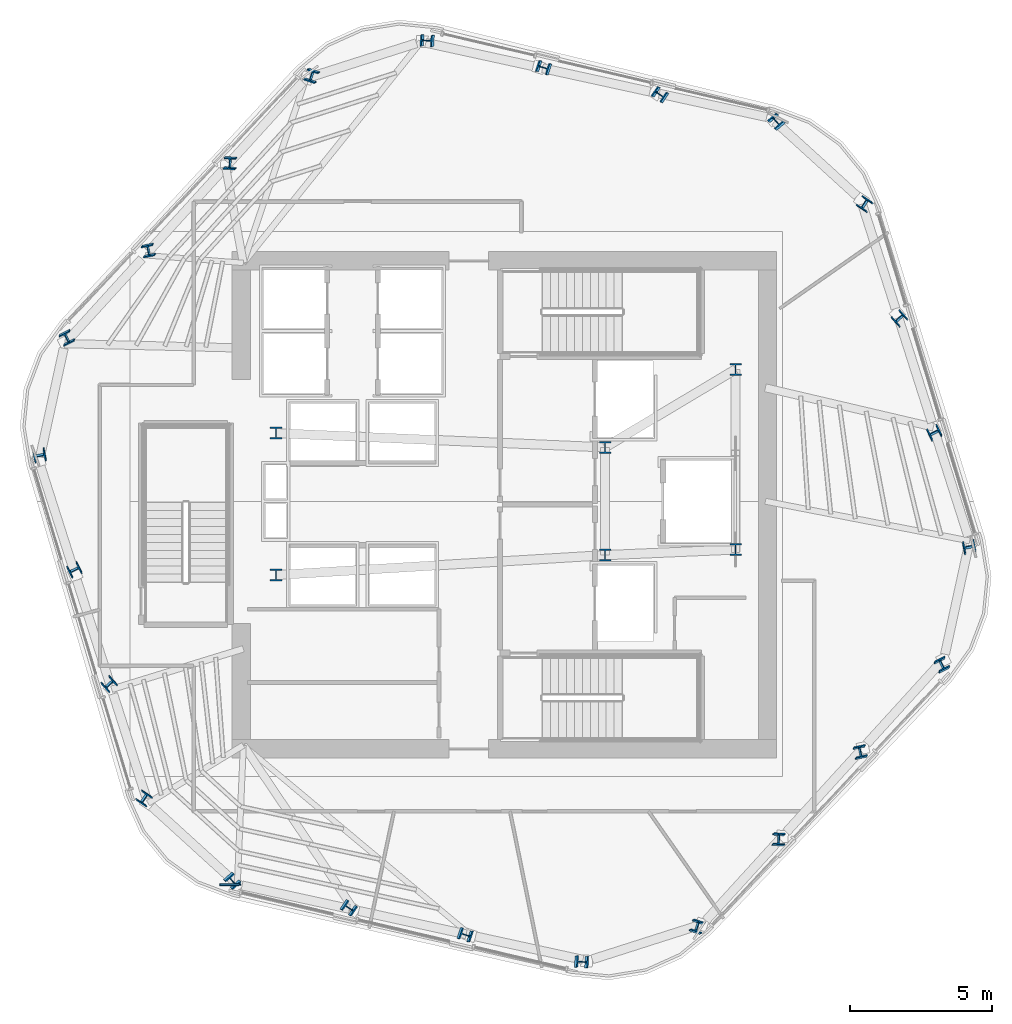
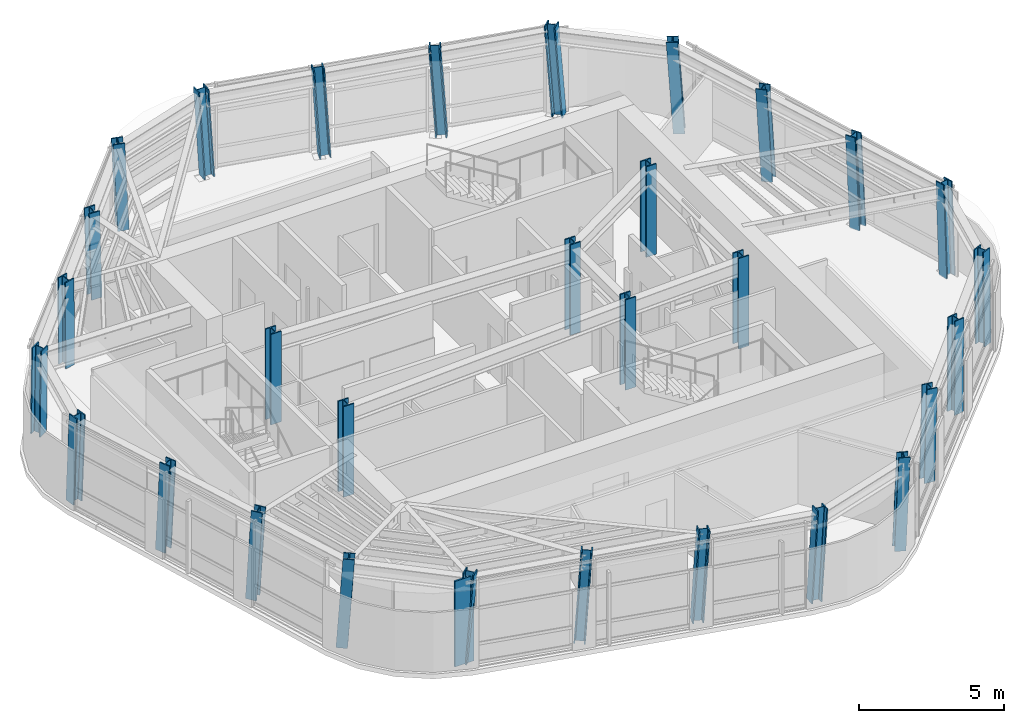
# One storey, part 1 of 13: 30 columns, 1 member.
"""IFC4 building model written with IfcOpenShell, lengths in metres."""

from ifc_helpers import new_model, si_unit, direction, frame, origin, origin_2d, place, context, subcontext, project, spatial, rectangle, i_section, extrude, material, material_profile, profile_set, type_object, element, save


model = new_model("IFC4")

# Units and contexts
model_context = context("Model", 3, precision=1e-05, world=origin(), true_north=direction((0.0, 1.0)))
body_context = subcontext(model_context, "Body", "Model", "MODEL_VIEW")
ifc_project = project(units=[si_unit("LENGTHUNIT", "METRE"), si_unit("AREAUNIT", "SQUARE_METRE"), si_unit("VOLUMEUNIT", "CUBIC_METRE"), si_unit("PLANEANGLEUNIT", "RADIAN"), si_unit("MASSUNIT", "GRAM", prefix="KILO")], contexts=[model_context])

# Site, building, storey
site_placement = place(None, origin())
site = spatial("IfcSite", under=ifc_project, at=site_placement, CompositionType="ELEMENT")
building_placement = place(site_placement, origin())
building = spatial("IfcBuilding", under=site, at=building_placement, Name="Valkerne Bourse Tower", CompositionType="ELEMENT")
storey_placement = place(building_placement, frame((0.0, 0.0, 224.60009765625)))
storey = spatial("IfcBuildingStorey", under=building, at=storey_placement, Name="L57", CompositionType="ELEMENT", Elevation=224.60009765625)

# Columns
ifc_material_1 = material(Name="Steel ASTM A913 Grade 65", Category="steel")
ifc_material_profile_1 = material_profile(ifc_material_1, i_section(OverallWidth=0.40380859375, OverallDepth=0.406494140625, WebThickness=0.027099609375, FlangeThickness=0.043701171875, FilletRadius=0.025390625, at=origin_2d()), Name="W14X233")
ifc_profile_set_1 = profile_set([ifc_material_profile_1], Name="Steel ASTM A913 Grade 65")
column_type_1 = type_object("IfcColumnType", Name="COL-W14X233", PredefinedType="COLUMN", material=ifc_profile_set_1)
column_1_placement = place(storey_placement, frame((56.421630859375, 40.3544921875, 0.010009765625), z_axis=(-0.055658803698, 0.039424985953, 0.997671172308), x_axis=(0.74865143525, 0.662780840066, 0.015575189897)))
element("IfcColumn", 1, at=column_1_placement, inside=storey, type_object=column_type_1, Name="L57 Helical Perimeter Tube Column F1-C1", PredefinedType="COLUMN", context=body_context, shape_type="SweptSolid", body=[
    extrude(i_section(OverallWidth=0.40380859375, OverallDepth=0.406494140625, WebThickness=0.027099609375, FlangeThickness=0.043701171875, FilletRadius=0.025390625, at=origin_2d()), origin(), (0.0, 0.0, 1.0), 3.789794921875),
])
for number, where, z_axis, x_axis, name in (
    (2, (52.321044921875, 41.31640625, 0.010009765625), (-0.059542144765, 0.022360524062, 0.997975320316), (0.555619432694, 0.831309875731, 0.014523653963), "L57 Helical Perimeter Tube Column F1-C2"),
    (3, (48.22021484375, 42.278076171875, 0.010009765625), (-0.063408369432, 0.005412909586, 0.997972985153), (0.309871375838, 0.950667423906, 0.014532018481), "L57 Helical Perimeter Tube Column F1-C3"),
):
    element("IfcColumn", number, at=place(storey_placement, frame(where, z_axis=z_axis, x_axis=x_axis)), inside=storey, type_object=column_type_1, Name=name, PredefinedType="COLUMN", context=body_context, shape_type="SweptSolid", body=[
        extrude(i_section(OverallWidth=0.40380859375, OverallDepth=0.406494140625, WebThickness=0.027099609375, FlangeThickness=0.043701171875, FilletRadius=0.025390625, at=origin_2d()), origin(), (0.0, 0.0, 1.0), 3.78857421875),
    ])
for number, where, z_axis, x_axis, name in (
    (4, (44.11962890625, 43.239990234375, 0.010009765625), (-0.067254156568, -0.011659963926, 0.997667742119), (0.058159715441, 0.99818560602, 0.015586642837), "L57 Helical Perimeter Tube Column F1-C4"),
    (5, (40.045654296875, 42.010009765625, 0.010009765625), (-0.06203604311, -0.028537868222, 0.997665835554), (-0.946796737152, 0.31795928338, -0.04977783272), "L57 Helical Perimeter Tube Column F2-C1"),
):
    element("IfcColumn", number, at=place(storey_placement, frame(where, z_axis=z_axis, x_axis=x_axis)), inside=storey, type_object=column_type_1, Name=name, PredefinedType="COLUMN", context=body_context, shape_type="SweptSolid", body=[
        extrude(i_section(OverallWidth=0.40380859375, OverallDepth=0.406494140625, WebThickness=0.027099609375, FlangeThickness=0.043701171875, FilletRadius=0.025390625, at=origin_2d()), origin(), (0.0, 0.0, 1.0), 3.789794921875),
    ])
for number, where, z_axis, x_axis, name in (
    (6, (37.162109375, 38.939453125, 0.010009765625), (-0.049167391408, -0.040339170408, 0.9979756104), (-0.996622275349, 0.067784334053, -0.046360806029), "L57 Helical Perimeter Tube Column F2-C2"),
    (7, (34.27880859375, 35.868896484375, 0.010009765625), (-0.036344027882, -0.052131770491, 0.997978652148), (-0.977603450088, -0.205293439357, -0.046325998469), "L57 Helical Perimeter Tube Column F2-C3"),
):
    element("IfcColumn", number, at=place(storey_placement, frame(where, z_axis=z_axis, x_axis=x_axis)), inside=storey, type_object=column_type_1, Name=name, PredefinedType="COLUMN", context=body_context, shape_type="SweptSolid", body=[
        extrude(i_section(OverallWidth=0.40380859375, OverallDepth=0.406494140625, WebThickness=0.027099609375, FlangeThickness=0.043701171875, FilletRadius=0.025390625, at=origin_2d()), origin(), (0.0, 0.0, 1.0), 3.78857421875),
    ])
for number, where, z_axis, x_axis, name in (
    (8, (31.3955078125, 32.798583984375, 0.010009765625), (-0.023513256984, -0.064033362854, 0.997670714809), (-0.893282721776, -0.446736297922, -0.049725839322), "L57 Helical Perimeter Tube Column F2-C4"),
    (9, (30.423828125, 28.655517578125, 0.010009765625), (-0.00631313053, -0.06796278275, 0.997667882887), (0.199454152344, -0.977726157234, -0.065342195968), "L57 Helical Perimeter Tube Column F3-C1"),
):
    element("IfcColumn", number, at=place(storey_placement, frame(where, z_axis=z_axis, x_axis=x_axis)), inside=storey, type_object=column_type_1, Name=name, PredefinedType="COLUMN", context=body_context, shape_type="SweptSolid", body=[
        extrude(i_section(OverallWidth=0.40380859375, OverallDepth=0.406494140625, WebThickness=0.027099609375, FlangeThickness=0.043701171875, FilletRadius=0.025390625, at=origin_2d()), origin(), (0.0, 0.0, 1.0), 3.789794921875),
    ])
for number, where, z_axis, x_axis, name in (
    (10, (31.64111328125, 24.623291015625, 0.010009765625), (0.010374758774, -0.062764068607, 0.997974466643), (0.440970229954, -0.895453166404, -0.060900599929), "L57 Helical Perimeter Tube Column F3-C2"),
    (11, (32.858642578125, 20.591064453125, 0.010009765625), (0.027000137398, -0.057608885046, 0.99797405224), (0.667159514695, -0.742420730348, -0.060906823115), "L57 Helical Perimeter Tube Column F3-C3"),
):
    element("IfcColumn", number, at=place(storey_placement, frame(where, z_axis=z_axis, x_axis=x_axis)), inside=storey, type_object=column_type_1, Name=name, PredefinedType="COLUMN", context=body_context, shape_type="SweptSolid", body=[
        extrude(i_section(OverallWidth=0.40380859375, OverallDepth=0.406494140625, WebThickness=0.027099609375, FlangeThickness=0.043701171875, FilletRadius=0.025390625, at=origin_2d()), origin(), (0.0, 0.0, 1.0), 3.78857421875),
    ])
for number, where, z_axis, x_axis, name in (
    (12, (34.075927734375, 16.55859375, 0.010009765625), (0.043741031998, -0.05237328279, 0.997669164287), (0.834069314622, -0.547778348479, -0.065324263056), "L57 Helical Perimeter Tube Column F3-C4"),
    (13, (37.17822265625, 13.6455078125, 0.010009765625), (0.055658803698, -0.039424985953, 0.997671172308), (0.74865143525, 0.662780840066, -0.015575189897), "L57 Helical Perimeter Tube Column F4-C1"),
):
    element("IfcColumn", number, at=place(storey_placement, frame(where, z_axis=z_axis, x_axis=x_axis)), inside=storey, type_object=column_type_1, Name=name, PredefinedType="COLUMN", context=body_context, shape_type="SweptSolid", body=[
        extrude(i_section(OverallWidth=0.40380859375, OverallDepth=0.406494140625, WebThickness=0.027099609375, FlangeThickness=0.043701171875, FilletRadius=0.025390625, at=origin_2d()), origin(), (0.0, 0.0, 1.0), 3.789794921875),
    ])
for number, where, z_axis, x_axis, name in (
    (14, (41.279052734375, 12.68359375, 0.010009765625), (0.0594779333, -0.022360609811, 0.997979147367), (0.555916605065, 0.831111418522, -0.014509935058), "L57 Helical Perimeter Tube Column F4-C2"),
    (15, (45.379638671875, 11.721923828125, 0.010009765625), (0.063408369432, -0.005412909586, 0.997972985153), (0.309871375838, 0.950667423906, -0.014532018481), "L57 Helical Perimeter Tube Column F4-C3"),
):
    element("IfcColumn", number, at=place(storey_placement, frame(where, z_axis=z_axis, x_axis=x_axis)), inside=storey, type_object=column_type_1, Name=name, PredefinedType="COLUMN", context=body_context, shape_type="SweptSolid", body=[
        extrude(i_section(OverallWidth=0.40380859375, OverallDepth=0.406494140625, WebThickness=0.027099609375, FlangeThickness=0.043701171875, FilletRadius=0.025390625, at=origin_2d()), origin(), (0.0, 0.0, 1.0), 3.78857421875),
    ])
for number, where, z_axis, x_axis, name in (
    (16, (49.48046875, 10.760009765625, 0.010009765625), (0.06719002784, 0.011660014419, 0.997672062465), (0.05799961052, 0.998195146881, -0.015572216398), "L57 Helical Perimeter Tube Column F4-C4"),
    (17, (53.554443359375, 11.989990234375, 0.010009765625), (0.061971871075, 0.02853798221, 0.997669820515), (-0.946924768843, 0.317584437313, 0.049735373016), "L57 Helical Perimeter Tube Column F5-C1"),
):
    element("IfcColumn", number, at=place(storey_placement, frame(where, z_axis=z_axis, x_axis=x_axis)), inside=storey, type_object=column_type_1, Name=name, PredefinedType="COLUMN", context=body_context, shape_type="SweptSolid", body=[
        extrude(i_section(OverallWidth=0.40380859375, OverallDepth=0.406494140625, WebThickness=0.027099609375, FlangeThickness=0.043701171875, FilletRadius=0.025390625, at=origin_2d()), origin(), (0.0, 0.0, 1.0), 3.789794921875),
    ])
for number, where, z_axis, x_axis, name in (
    (18, (56.437744140625, 15.060546875, 0.010009765625), (0.049167391408, 0.040339170408, 0.9979756104), (-0.996622275349, 0.067784334053, 0.046360806029), "L57 Helical Perimeter Tube Column F5-C2"),
    (19, (59.321044921875, 18.131103515625, 0.010009765625), (0.036344027882, 0.052131770491, 0.997978652148), (-0.977603450088, -0.205293439357, 0.046325998469), "L57 Helical Perimeter Tube Column F5-C3"),
):
    element("IfcColumn", number, at=place(storey_placement, frame(where, z_axis=z_axis, x_axis=x_axis)), inside=storey, type_object=column_type_1, Name=name, PredefinedType="COLUMN", context=body_context, shape_type="SweptSolid", body=[
        extrude(i_section(OverallWidth=0.40380859375, OverallDepth=0.406494140625, WebThickness=0.027099609375, FlangeThickness=0.043701171875, FilletRadius=0.025390625, at=origin_2d()), origin(), (0.0, 0.0, 1.0), 3.78857421875),
    ])
for number, where, z_axis, x_axis, name in (
    (20, (62.204345703125, 21.201416015625, 0.010009765625), (0.023577641103, 0.064033265729, 0.997669201549), (-0.893677893376, -0.445943448505, 0.049741970478), "L57 Helical Perimeter Tube Column F5-C4"),
    (21, (63.17626953125, 25.344482421875, 0.010009765625), (0.00631313053, 0.06796278275, 0.997667882887), (0.199454152344, -0.977726157234, 0.065342195968), "L57 Helical Perimeter Tube Column F6-C1"),
):
    element("IfcColumn", number, at=place(storey_placement, frame(where, z_axis=z_axis, x_axis=x_axis)), inside=storey, type_object=column_type_1, Name=name, PredefinedType="COLUMN", context=body_context, shape_type="SweptSolid", body=[
        extrude(i_section(OverallWidth=0.40380859375, OverallDepth=0.406494140625, WebThickness=0.027099609375, FlangeThickness=0.043701171875, FilletRadius=0.025390625, at=origin_2d()), origin(), (0.0, 0.0, 1.0), 3.789794921875),
    ])
for number, where, z_axis, x_axis, name in (
    (22, (61.958740234375, 29.376708984375, 0.010009765625), (-0.01031032615, 0.062764110437, 0.997975131762), (0.44007506082, -0.895894120091, 0.060890610364), "L57 Helical Perimeter Tube Column F6-C2"),
    (23, (60.741455078125, 33.408935546875, 0.010009765625), (-0.027064529722, 0.057608784694, 0.997972313823), (0.667839118354, -0.741807313911, 0.060932922344), "L57 Helical Perimeter Tube Column F6-C3"),
):
    element("IfcColumn", number, at=place(storey_placement, frame(where, z_axis=z_axis, x_axis=x_axis)), inside=storey, type_object=column_type_1, Name=name, PredefinedType="COLUMN", context=body_context, shape_type="SweptSolid", body=[
        extrude(i_section(OverallWidth=0.40380859375, OverallDepth=0.406494140625, WebThickness=0.027099609375, FlangeThickness=0.043701171875, FilletRadius=0.025390625, at=origin_2d()), origin(), (0.0, 0.0, 1.0), 3.78857421875),
    ])
column_2_placement = place(storey_placement, frame((59.52392578125, 37.44140625, 0.010009765625), z_axis=(-0.043676735197, 0.052373430259, 0.997671973449), x_axis=(0.833673661466, -0.548384995976, 0.06528493215)))
element("IfcColumn", 24, at=column_2_placement, inside=storey, type_object=column_type_1, Name="L57 Helical Perimeter Tube Column F6-C4", PredefinedType="COLUMN", context=body_context, shape_type="SweptSolid", body=[
    extrude(i_section(OverallWidth=0.40380859375, OverallDepth=0.406494140625, WebThickness=0.027099609375, FlangeThickness=0.043701171875, FilletRadius=0.025390625, at=origin_2d()), origin(), (0.0, 0.0, 1.0), 3.789794921875),
])
ifc_material_profile_2 = material_profile(ifc_material_1, i_section(OverallWidth=0.408935546875, OverallDepth=0.42431640625, WebThickness=0.03271484375, FlangeThickness=0.052490234375, FilletRadius=0.025390625, at=origin_2d()), Name="W14X283")
ifc_profile_set_2 = profile_set([ifc_material_profile_2], Name="Steel ASTM A913 Grade 65")
column_type_2 = type_object("IfcColumnType", Name="COL-W14X283", PredefinedType="COLUMN", material=ifc_profile_set_2)
for number, where, z_axis, x_axis, name in (
    (25, (38.75, 24.39990234375, 0.0048828125), (0.0, 0.0, 1.0), (1.0, 0.0, 0.0), "L57 Core Frame Column CC-SW"),
    (26, (38.75, 29.39990234375, 0.0048828125), (0.0, 0.0, 1.0), (1.0, 0.0, 0.0), "L57 Core Frame Column CC-NW"),
    (27, (50.35009765625, 25.10009765625, 0.0048828125), (0.0, 0.0, 1.0), (1.0, 0.0, 0.0), "L57 Core Frame Column CC-CE1"),
    (28, (50.35009765625, 28.89990234375, 0.0048828125), (0.0, 0.0, 1.0), (1.0, 0.0, 0.0), "L57 Core Frame Column CC-CE2"),
    (29, (54.949951171875, 25.300048828125, 0.0048828125), (0.0, 0.0, 1.0), (1.0, 0.0, 0.0), "L57 Core Frame Column CC-SE"),
    (30, (54.949951171875, 31.64990234375, 0.0048828125), (0.0, 0.0, 1.0), (1.0, 0.0, 0.0), "L57 Core Frame Column CC-NE"),
):
    element("IfcColumn", number, at=place(storey_placement, frame(where, z_axis=z_axis, x_axis=x_axis)), inside=storey, type_object=column_type_2, Name=name, PredefinedType="COLUMN", context=body_context, shape_type="SweptSolid", body=[
        extrude(i_section(OverallWidth=0.408935546875, OverallDepth=0.42431640625, WebThickness=0.03271484375, FlangeThickness=0.052490234375, FilletRadius=0.025390625, at=origin_2d()), origin(), (0.0, 0.0, 1.0), 3.794921875),
    ])

# Member
ifc_material_2 = material(Name="Bronze Anodised Aluminium AA 6063-T6", Category="aluminium")
ifc_material_profile_3 = material_profile(ifc_material_2, rectangle(XDim=0.06494140625, YDim=0.75, at=origin_2d()), Name="FIN-65X750")
ifc_profile_set_3 = profile_set([ifc_material_profile_3], Name="Bronze Anodised Aluminium AA 6063-T6")
member_type = type_object("IfcMemberType", Name="FIN-SOLAR-650", PredefinedType="USERDEFINED", material=ifc_profile_set_3)
member_placement = place(storey_placement, frame((37.141845703125, 13.48974609375, 0.00390625), z_axis=(0.0, 0.0, 1.0), x_axis=(0.002398257262, -0.999997124177, 0.0)))
element("IfcMember", 31, at=member_placement, inside=storey, type_object=member_type, Name="L57 Bronze Anodised Solar Fin F4-00", ObjectType="SOLAR_FIN", PredefinedType="USERDEFINED", context=body_context, shape_type="SweptSolid", body=[
    extrude(rectangle(XDim=0.06494140625, YDim=0.75, at=origin_2d()), origin(), (0.0, 0.0, 1.0), 3.592041015625),
])

save(model, "model.ifc")
